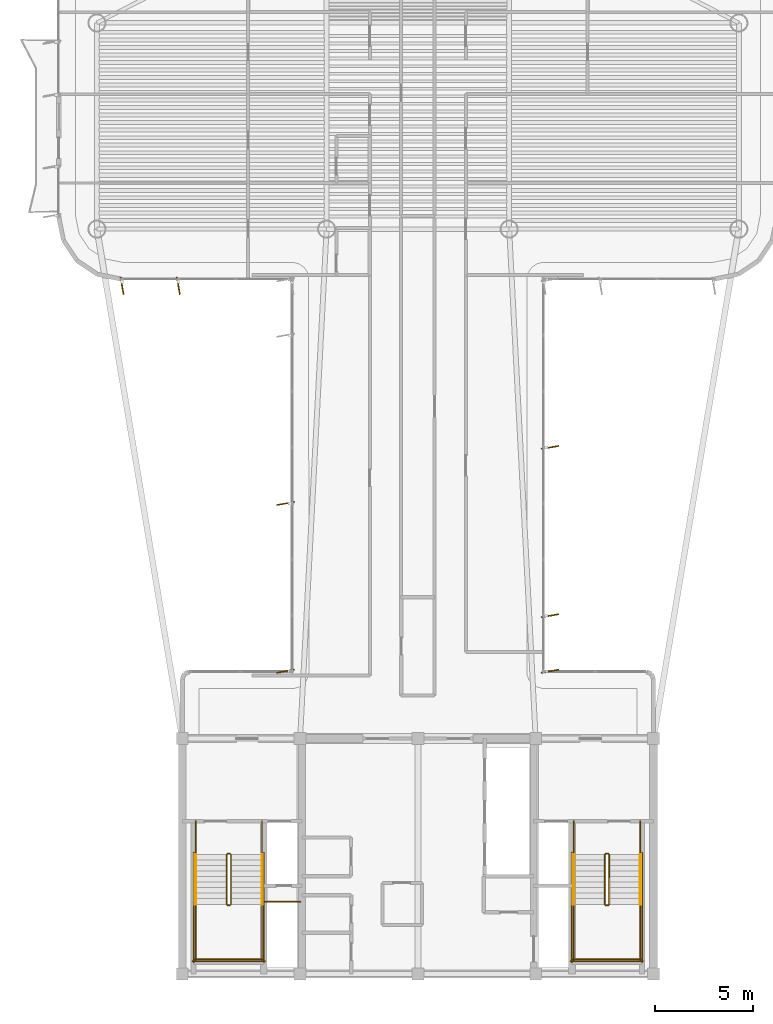
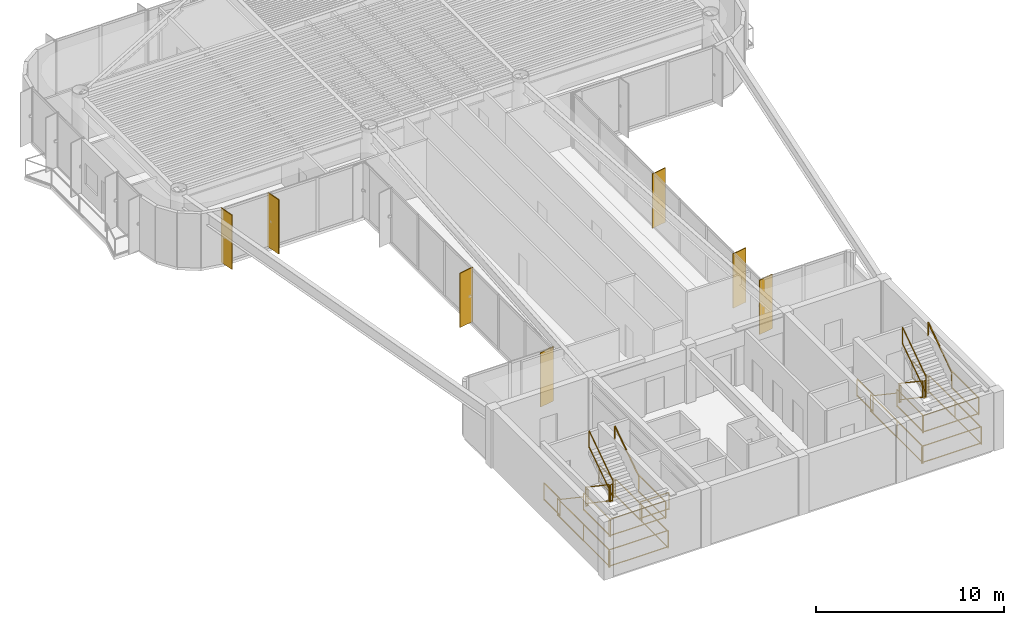
# One storey, part 14 of 15: 29 railings, 7 shading devices.
"""IFC4 building model written with IfcOpenShell, lengths in metres."""

from ifc_helpers import new_model, si_unit, direction, frame, origin, origin_2d, place, context, subcontext, project, spatial, rectangle, extrude, source, transform, mapped, material, layer, layer_set, material_profile, profile_set, type_object, element, save


model = new_model("IFC4")

# Units and contexts
model_context = context("Model", 3, precision=1e-05, world=origin(), true_north=direction((0.0, 1.0)))
body_context = subcontext(model_context, "Body", "Model", "MODEL_VIEW")
ifc_project = project(units=[si_unit("LENGTHUNIT", "METRE"), si_unit("AREAUNIT", "SQUARE_METRE"), si_unit("VOLUMEUNIT", "CUBIC_METRE"), si_unit("PLANEANGLEUNIT", "RADIAN"), si_unit("MASSUNIT", "GRAM", prefix="KILO")], contexts=[model_context])

# Site, building, storey
site_placement = place(None, origin())
site = spatial("IfcSite", under=ifc_project, at=site_placement, CompositionType="ELEMENT")
building_placement = place(site_placement, origin())
building = spatial("IfcBuilding", under=site, at=building_placement, Name="Brelvock Crest Care Tower", CompositionType="ELEMENT")
storey_placement = place(building_placement, frame((0.0, 0.0, 268.3798828125)))
storey = spatial("IfcBuildingStorey", under=building, at=storey_placement, Name="L68", CompositionType="ELEMENT", Elevation=268.3798828125)

# Railings
ifc_material_1 = material(Name="Steel Grade 350", Category="steel")
ifc_layer_1 = layer(ifc_material_1, 0.050048828125, Name="RL-STG1")
ifc_layer_set_1 = layer_set([ifc_layer_1], Name="Steel Grade 350")
railing_type_1 = type_object("IfcRailingType", Name="RL-STG1", PredefinedType="GUARDRAIL", material=ifc_layer_set_1)
railing_1_placement = place(storey_placement, frame((26.260009765625, 12.080078125, 0.189208984375)))
element("IfcRailing", 1, at=railing_1_placement, inside=storey, type_object=railing_type_1, Name="L68 ST-1 stair guard 1", PredefinedType="GUARDRAIL", context=body_context, shape_type="SweptSolid", body=[
    extrude(rectangle(XDim=0.048095703125, YDim=0.048095703125, at=origin_2d()), frame((0.0, -0.001708984375, 1.116943359375), z_axis=(0.0, -0.828861706735, 0.559453546873), x_axis=(1.0, 0.0, 0.0)), (0.0, 0.0, 1.0), 3.036376953125),
    extrude(rectangle(XDim=0.048095703125, YDim=0.048095703125, at=origin_2d()), frame((0.0, -0.001708984375, 0.05615234375), z_axis=(0.0, -0.828861706735, 0.559453546873), x_axis=(1.0, 0.0, 0.0)), (0.0, 0.0, 1.0), 3.036376953125),
    extrude(rectangle(XDim=0.0419921875, YDim=0.0419921875, at=origin_2d()), origin(), (0.0, 0.0, 1.0), 1.08984375),
    extrude(rectangle(XDim=0.0419921875, YDim=0.0419921875, at=origin_2d()), frame((0.0, -2.52001953125, 1.700927734375)), (0.0, 0.0, 1.0), 1.08984375),
])
railing_2_placement = place(storey_placement, frame((26.31005859375, 9.510009765625, 1.89013671875)))
element("IfcRailing", 2, at=railing_2_placement, inside=storey, type_object=railing_type_1, Name="L68 ST-1 stair guard 2", PredefinedType="GUARDRAIL", context=body_context, shape_type="SweptSolid", body=[
    extrude(rectangle(XDim=0.048095703125, YDim=0.048095703125, at=origin_2d()), frame((0.001953125, 0.0, 1.11572265625), z_axis=(1.0, 0.0, 0.0), x_axis=(0.0, 1.0, 0.0)), (0.0, 0.0, 1.0), 0.115966796875),
    extrude(rectangle(XDim=0.048095703125, YDim=0.048095703125, at=origin_2d()), frame((0.001953125, 0.0, 0.054931640625), z_axis=(1.0, 0.0, 0.0), x_axis=(0.0, 1.0, 0.0)), (0.0, 0.0, 1.0), 0.115966796875),
    extrude(rectangle(XDim=0.0419921875, YDim=0.0419921875, at=origin_2d()), origin(), (0.0, 0.0, 1.0), 1.08984375),
    extrude(rectangle(XDim=0.0419921875, YDim=0.0419921875, at=origin_2d()), frame((0.119873046875, 0.0, 0.0)), (0.0, 0.0, 1.0), 1.08984375),
])
for number, where, name in (
    (3, (24.679931640625, 9.56005859375, 1.89013671875), "L68 ST-1 stair guard 3"),
    (4, (28.06005859375, 9.56005859375, 1.89013671875), "L68 ST-1 stair guard 4"),
):
    element("IfcRailing", number, at=place(storey_placement, frame(where)), inside=storey, type_object=railing_type_1, Name=name, PredefinedType="GUARDRAIL", context=body_context, shape_type="SweptSolid", body=[
        extrude(rectangle(XDim=0.048095703125, YDim=0.048095703125, at=origin_2d()), frame((0.0, -0.001953125, 1.11572265625), z_axis=(0.0, -1.0, 0.0), x_axis=(1.0, 0.0, 0.0)), (0.0, 0.0, 1.0), 2.856201171875),
        extrude(rectangle(XDim=0.048095703125, YDim=0.048095703125, at=origin_2d()), frame((0.0, -0.001953125, 0.054931640625), z_axis=(0.0, -1.0, 0.0), x_axis=(1.0, 0.0, 0.0)), (0.0, 0.0, 1.0), 2.856201171875),
        extrude(rectangle(XDim=0.0419921875, YDim=0.0419921875, at=origin_2d()), origin(), (0.0, 0.0, 1.0), 1.08984375),
        extrude(rectangle(XDim=0.0419921875, YDim=0.0419921875, at=origin_2d()), frame((0.0, -2.860107421875, 0.0)), (0.0, 0.0, 1.0), 1.08984375),
    ])
railing_3_placement = place(storey_placement, frame((24.6298828125, 6.75, 1.89013671875)))
element("IfcRailing", 5, at=railing_3_placement, inside=storey, type_object=railing_type_1, Name="L68 ST-1 stair guard 5", PredefinedType="GUARDRAIL", context=body_context, shape_type="SweptSolid", body=[
    extrude(rectangle(XDim=0.048095703125, YDim=0.048095703125, at=origin_2d()), frame((0.001953125, 0.0, 1.11572265625), z_axis=(1.0, 0.0, 0.0), x_axis=(0.0, 1.0, 0.0)), (0.0, 0.0, 1.0), 3.476318359375),
    extrude(rectangle(XDim=0.048095703125, YDim=0.048095703125, at=origin_2d()), frame((0.001953125, 0.0, 0.054931640625), z_axis=(1.0, 0.0, 0.0), x_axis=(0.0, 1.0, 0.0)), (0.0, 0.0, 1.0), 3.476318359375),
    extrude(rectangle(XDim=0.0419921875, YDim=0.0419921875, at=origin_2d()), origin(), (0.0, 0.0, 1.0), 1.08984375),
    extrude(rectangle(XDim=0.0419921875, YDim=0.0419921875, at=origin_2d()), frame((3.480224609375, 0.0, 0.0)), (0.0, 0.0, 1.0), 1.08984375),
])
railing_4_placement = place(storey_placement, frame((26.47998046875, 9.56005859375, 2.0791015625)))
element("IfcRailing", 6, at=railing_4_placement, inside=storey, type_object=railing_type_1, Name="L68 ST-1 stair guard 6", PredefinedType="GUARDRAIL", context=body_context, shape_type="SweptSolid", body=[
    extrude(rectangle(XDim=0.048095703125, YDim=0.048095703125, at=origin_2d()), frame((0.0, 0.001708984375, 1.116943359375), z_axis=(0.0, 0.828861706735, 0.559453546873), x_axis=(-1.0, 0.0, 0.0)), (0.0, 0.0, 1.0), 3.036376953125),
    extrude(rectangle(XDim=0.048095703125, YDim=0.048095703125, at=origin_2d()), frame((0.0, 0.001708984375, 0.05615234375), z_axis=(0.0, 0.828861706735, 0.559453546873), x_axis=(-1.0, 0.0, 0.0)), (0.0, 0.0, 1.0), 3.036376953125),
    extrude(rectangle(XDim=0.0419921875, YDim=0.0419921875, at=origin_2d()), origin(), (0.0, 0.0, 1.0), 1.08984375),
    extrude(rectangle(XDim=0.0419921875, YDim=0.0419921875, at=origin_2d()), frame((0.0, 2.52001953125, 1.700927734375)), (0.0, 0.0, 1.0), 1.08984375),
])
railing_5_placement = place(storey_placement, frame((26.31005859375, 12.1298828125, 0.0)))
element("IfcRailing", 7, at=railing_5_placement, inside=storey, type_object=railing_type_1, Name="L68 ST-1 stair guard 7", PredefinedType="GUARDRAIL", context=body_context, shape_type="SweptSolid", body=[
    extrude(rectangle(XDim=0.048095703125, YDim=0.048095703125, at=origin_2d()), frame((0.001953125, 0.0, 1.11572265625), z_axis=(1.0, 0.0, 0.0), x_axis=(0.0, 1.0, 0.0)), (0.0, 0.0, 1.0), 0.115966796875),
    extrude(rectangle(XDim=0.048095703125, YDim=0.048095703125, at=origin_2d()), frame((0.001953125, 0.0, 0.054931640625), z_axis=(1.0, 0.0, 0.0), x_axis=(0.0, 1.0, 0.0)), (0.0, 0.0, 1.0), 0.115966796875),
    extrude(rectangle(XDim=0.0419921875, YDim=0.0419921875, at=origin_2d()), origin(), (0.0, 0.0, 1.0), 1.08984375),
    extrude(rectangle(XDim=0.0419921875, YDim=0.0419921875, at=origin_2d()), frame((0.119873046875, 0.0, 0.0)), (0.0, 0.0, 1.0), 1.08984375),
])
for number, where, name in (
    (8, (24.679931640625, 13.780029296875, 0.0), "L68 ST-1 stair guard 8"),
    (9, (28.06005859375, 13.780029296875, 0.0), "L68 ST-1 stair guard 9"),
):
    element("IfcRailing", number, at=place(storey_placement, frame(where)), inside=storey, type_object=railing_type_1, Name=name, PredefinedType="GUARDRAIL", context=body_context, shape_type="SweptSolid", body=[
        extrude(rectangle(XDim=0.048095703125, YDim=0.048095703125, at=origin_2d()), frame((0.0, -0.001953125, 1.11572265625), z_axis=(0.0, -1.0, 0.0), x_axis=(1.0, 0.0, 0.0)), (0.0, 0.0, 1.0), 1.696044921875),
        extrude(rectangle(XDim=0.048095703125, YDim=0.048095703125, at=origin_2d()), frame((0.0, -0.001953125, 0.054931640625), z_axis=(0.0, -1.0, 0.0), x_axis=(1.0, 0.0, 0.0)), (0.0, 0.0, 1.0), 1.696044921875),
        extrude(rectangle(XDim=0.0419921875, YDim=0.0419921875, at=origin_2d()), origin(), (0.0, 0.0, 1.0), 1.08984375),
        extrude(rectangle(XDim=0.0419921875, YDim=0.0419921875, at=origin_2d()), frame((0.0, -1.699951171875, 0.0)), (0.0, 0.0, 1.0), 1.08984375),
    ])
for number, where, name in (
    (10, (24.580078125, 12.179931640625, 0.0), "L68 ST-1 stair guard 10"),
    (11, (28.159912109375, 12.179931640625, 0.0), "L68 ST-1 stair guard 11"),
):
    element("IfcRailing", number, at=place(storey_placement, frame(where)), inside=storey, type_object=railing_type_1, Name=name, PredefinedType="GUARDRAIL", context=body_context, shape_type="SweptSolid", body=[
        extrude(rectangle(XDim=0.048095703125, YDim=0.048095703125, at=origin_2d()), frame((0.0, -0.001953125, 1.11572265625), z_axis=(0.0, -1.0, 0.0), x_axis=(1.0, 0.0, 0.0)), (0.0, 0.0, 1.0), 5.575927734375),
        extrude(rectangle(XDim=0.048095703125, YDim=0.048095703125, at=origin_2d()), frame((0.0, -0.001953125, 0.054931640625), z_axis=(0.0, -1.0, 0.0), x_axis=(1.0, 0.0, 0.0)), (0.0, 0.0, 1.0), 5.575927734375),
        extrude(rectangle(XDim=0.0419921875, YDim=0.0419921875, at=origin_2d()), origin(), (0.0, 0.0, 1.0), 1.08984375),
        extrude(rectangle(XDim=0.0419921875, YDim=0.0419921875, at=origin_2d()), frame((0.0, -2.7900390625, 0.0)), (0.0, 0.0, 1.0), 1.08984375),
        extrude(rectangle(XDim=0.0419921875, YDim=0.0419921875, at=origin_2d()), frame((0.0, -5.579833984375, 0.0)), (0.0, 0.0, 1.0), 1.08984375),
    ])
railing_6_placement = place(storey_placement, frame((24.530029296875, 6.64990234375, 0.0)))
element("IfcRailing", 12, at=railing_6_placement, inside=storey, type_object=railing_type_1, Name="L68 ST-1 stair guard 12", PredefinedType="GUARDRAIL", context=body_context, shape_type="SweptSolid", body=[
    extrude(rectangle(XDim=0.048095703125, YDim=0.048095703125, at=origin_2d()), frame((0.001953125, 0.0, 1.11572265625), z_axis=(1.0, 0.0, 0.0), x_axis=(0.0, 1.0, 0.0)), (0.0, 0.0, 1.0), 3.676025390625),
    extrude(rectangle(XDim=0.048095703125, YDim=0.048095703125, at=origin_2d()), frame((0.001953125, 0.0, 0.054931640625), z_axis=(1.0, 0.0, 0.0), x_axis=(0.0, 1.0, 0.0)), (0.0, 0.0, 1.0), 3.676025390625),
    extrude(rectangle(XDim=0.0419921875, YDim=0.0419921875, at=origin_2d()), origin(), (0.0, 0.0, 1.0), 1.08984375),
    extrude(rectangle(XDim=0.0419921875, YDim=0.0419921875, at=origin_2d()), frame((3.679931640625, 0.0, 0.0)), (0.0, 0.0, 1.0), 1.08984375),
])
railing_7_placement = place(storey_placement, frame((45.52001953125, 12.080078125, 0.189208984375)))
element("IfcRailing", 13, at=railing_7_placement, inside=storey, type_object=railing_type_1, Name="L68 ST-2 stair guard 1", PredefinedType="GUARDRAIL", context=body_context, shape_type="SweptSolid", body=[
    extrude(rectangle(XDim=0.048095703125, YDim=0.048095703125, at=origin_2d()), frame((0.0, -0.001708984375, 1.116943359375), z_axis=(0.0, -0.828861706735, 0.559453546873), x_axis=(1.0, 0.0, 0.0)), (0.0, 0.0, 1.0), 3.036376953125),
    extrude(rectangle(XDim=0.048095703125, YDim=0.048095703125, at=origin_2d()), frame((0.0, -0.001708984375, 0.05615234375), z_axis=(0.0, -0.828861706735, 0.559453546873), x_axis=(1.0, 0.0, 0.0)), (0.0, 0.0, 1.0), 3.036376953125),
    extrude(rectangle(XDim=0.0419921875, YDim=0.0419921875, at=origin_2d()), origin(), (0.0, 0.0, 1.0), 1.08984375),
    extrude(rectangle(XDim=0.0419921875, YDim=0.0419921875, at=origin_2d()), frame((0.0, -2.52001953125, 1.700927734375)), (0.0, 0.0, 1.0), 1.08984375),
])
railing_8_placement = place(storey_placement, frame((45.570068359375, 9.510009765625, 1.89013671875)))
element("IfcRailing", 14, at=railing_8_placement, inside=storey, type_object=railing_type_1, Name="L68 ST-2 stair guard 2", PredefinedType="GUARDRAIL", context=body_context, shape_type="SweptSolid", body=[
    extrude(rectangle(XDim=0.048095703125, YDim=0.048095703125, at=origin_2d()), frame((0.001953125, 0.0, 1.11572265625), z_axis=(1.0, 0.0, 0.0), x_axis=(0.0, 1.0, 0.0)), (0.0, 0.0, 1.0), 0.115966796875),
    extrude(rectangle(XDim=0.048095703125, YDim=0.048095703125, at=origin_2d()), frame((0.001953125, 0.0, 0.054931640625), z_axis=(1.0, 0.0, 0.0), x_axis=(0.0, 1.0, 0.0)), (0.0, 0.0, 1.0), 0.115966796875),
    extrude(rectangle(XDim=0.0419921875, YDim=0.0419921875, at=origin_2d()), origin(), (0.0, 0.0, 1.0), 1.08984375),
    extrude(rectangle(XDim=0.0419921875, YDim=0.0419921875, at=origin_2d()), frame((0.119873046875, 0.0, 0.0)), (0.0, 0.0, 1.0), 1.08984375),
])
for number, where, name in (
    (15, (43.93994140625, 9.56005859375, 1.89013671875), "L68 ST-2 stair guard 3"),
    (16, (47.320068359375, 9.56005859375, 1.89013671875), "L68 ST-2 stair guard 4"),
):
    element("IfcRailing", number, at=place(storey_placement, frame(where)), inside=storey, type_object=railing_type_1, Name=name, PredefinedType="GUARDRAIL", context=body_context, shape_type="SweptSolid", body=[
        extrude(rectangle(XDim=0.048095703125, YDim=0.048095703125, at=origin_2d()), frame((0.0, -0.001953125, 1.11572265625), z_axis=(0.0, -1.0, 0.0), x_axis=(1.0, 0.0, 0.0)), (0.0, 0.0, 1.0), 2.856201171875),
        extrude(rectangle(XDim=0.048095703125, YDim=0.048095703125, at=origin_2d()), frame((0.0, -0.001953125, 0.054931640625), z_axis=(0.0, -1.0, 0.0), x_axis=(1.0, 0.0, 0.0)), (0.0, 0.0, 1.0), 2.856201171875),
        extrude(rectangle(XDim=0.0419921875, YDim=0.0419921875, at=origin_2d()), origin(), (0.0, 0.0, 1.0), 1.08984375),
        extrude(rectangle(XDim=0.0419921875, YDim=0.0419921875, at=origin_2d()), frame((0.0, -2.860107421875, 0.0)), (0.0, 0.0, 1.0), 1.08984375),
    ])
railing_9_placement = place(storey_placement, frame((43.889892578125, 6.75, 1.89013671875)))
element("IfcRailing", 17, at=railing_9_placement, inside=storey, type_object=railing_type_1, Name="L68 ST-2 stair guard 5", PredefinedType="GUARDRAIL", context=body_context, shape_type="SweptSolid", body=[
    extrude(rectangle(XDim=0.048095703125, YDim=0.048095703125, at=origin_2d()), frame((0.001953125, 0.0, 1.11572265625), z_axis=(1.0, 0.0, 0.0), x_axis=(0.0, 1.0, 0.0)), (0.0, 0.0, 1.0), 3.476318359375),
    extrude(rectangle(XDim=0.048095703125, YDim=0.048095703125, at=origin_2d()), frame((0.001953125, 0.0, 0.054931640625), z_axis=(1.0, 0.0, 0.0), x_axis=(0.0, 1.0, 0.0)), (0.0, 0.0, 1.0), 3.476318359375),
    extrude(rectangle(XDim=0.0419921875, YDim=0.0419921875, at=origin_2d()), origin(), (0.0, 0.0, 1.0), 1.08984375),
    extrude(rectangle(XDim=0.0419921875, YDim=0.0419921875, at=origin_2d()), frame((3.480224609375, 0.0, 0.0)), (0.0, 0.0, 1.0), 1.08984375),
])
railing_10_placement = place(storey_placement, frame((45.739990234375, 9.56005859375, 2.0791015625)))
element("IfcRailing", 18, at=railing_10_placement, inside=storey, type_object=railing_type_1, Name="L68 ST-2 stair guard 6", PredefinedType="GUARDRAIL", context=body_context, shape_type="SweptSolid", body=[
    extrude(rectangle(XDim=0.048095703125, YDim=0.048095703125, at=origin_2d()), frame((0.0, 0.001708984375, 1.116943359375), z_axis=(0.0, 0.828861706735, 0.559453546873), x_axis=(-1.0, 0.0, 0.0)), (0.0, 0.0, 1.0), 3.036376953125),
    extrude(rectangle(XDim=0.048095703125, YDim=0.048095703125, at=origin_2d()), frame((0.0, 0.001708984375, 0.05615234375), z_axis=(0.0, 0.828861706735, 0.559453546873), x_axis=(-1.0, 0.0, 0.0)), (0.0, 0.0, 1.0), 3.036376953125),
    extrude(rectangle(XDim=0.0419921875, YDim=0.0419921875, at=origin_2d()), origin(), (0.0, 0.0, 1.0), 1.08984375),
    extrude(rectangle(XDim=0.0419921875, YDim=0.0419921875, at=origin_2d()), frame((0.0, 2.52001953125, 1.700927734375)), (0.0, 0.0, 1.0), 1.08984375),
])
railing_11_placement = place(storey_placement, frame((45.570068359375, 12.1298828125, 0.0)))
element("IfcRailing", 19, at=railing_11_placement, inside=storey, type_object=railing_type_1, Name="L68 ST-2 stair guard 7", PredefinedType="GUARDRAIL", context=body_context, shape_type="SweptSolid", body=[
    extrude(rectangle(XDim=0.048095703125, YDim=0.048095703125, at=origin_2d()), frame((0.001953125, 0.0, 1.11572265625), z_axis=(1.0, 0.0, 0.0), x_axis=(0.0, 1.0, 0.0)), (0.0, 0.0, 1.0), 0.115966796875),
    extrude(rectangle(XDim=0.048095703125, YDim=0.048095703125, at=origin_2d()), frame((0.001953125, 0.0, 0.054931640625), z_axis=(1.0, 0.0, 0.0), x_axis=(0.0, 1.0, 0.0)), (0.0, 0.0, 1.0), 0.115966796875),
    extrude(rectangle(XDim=0.0419921875, YDim=0.0419921875, at=origin_2d()), origin(), (0.0, 0.0, 1.0), 1.08984375),
    extrude(rectangle(XDim=0.0419921875, YDim=0.0419921875, at=origin_2d()), frame((0.119873046875, 0.0, 0.0)), (0.0, 0.0, 1.0), 1.08984375),
])
for number, where, name in (
    (20, (43.93994140625, 13.780029296875, 0.0), "L68 ST-2 stair guard 8"),
    (21, (47.320068359375, 13.780029296875, 0.0), "L68 ST-2 stair guard 9"),
):
    element("IfcRailing", number, at=place(storey_placement, frame(where)), inside=storey, type_object=railing_type_1, Name=name, PredefinedType="GUARDRAIL", context=body_context, shape_type="SweptSolid", body=[
        extrude(rectangle(XDim=0.048095703125, YDim=0.048095703125, at=origin_2d()), frame((0.0, -0.001953125, 1.11572265625), z_axis=(0.0, -1.0, 0.0), x_axis=(1.0, 0.0, 0.0)), (0.0, 0.0, 1.0), 1.696044921875),
        extrude(rectangle(XDim=0.048095703125, YDim=0.048095703125, at=origin_2d()), frame((0.0, -0.001953125, 0.054931640625), z_axis=(0.0, -1.0, 0.0), x_axis=(1.0, 0.0, 0.0)), (0.0, 0.0, 1.0), 1.696044921875),
        extrude(rectangle(XDim=0.0419921875, YDim=0.0419921875, at=origin_2d()), origin(), (0.0, 0.0, 1.0), 1.08984375),
        extrude(rectangle(XDim=0.0419921875, YDim=0.0419921875, at=origin_2d()), frame((0.0, -1.699951171875, 0.0)), (0.0, 0.0, 1.0), 1.08984375),
    ])
for number, where, name in (
    (22, (43.840087890625, 12.179931640625, 0.0), "L68 ST-2 stair guard 10"),
    (23, (47.419921875, 12.179931640625, 0.0), "L68 ST-2 stair guard 11"),
):
    element("IfcRailing", number, at=place(storey_placement, frame(where)), inside=storey, type_object=railing_type_1, Name=name, PredefinedType="GUARDRAIL", context=body_context, shape_type="SweptSolid", body=[
        extrude(rectangle(XDim=0.048095703125, YDim=0.048095703125, at=origin_2d()), frame((0.0, -0.001953125, 1.11572265625), z_axis=(0.0, -1.0, 0.0), x_axis=(1.0, 0.0, 0.0)), (0.0, 0.0, 1.0), 5.575927734375),
        extrude(rectangle(XDim=0.048095703125, YDim=0.048095703125, at=origin_2d()), frame((0.0, -0.001953125, 0.054931640625), z_axis=(0.0, -1.0, 0.0), x_axis=(1.0, 0.0, 0.0)), (0.0, 0.0, 1.0), 5.575927734375),
        extrude(rectangle(XDim=0.0419921875, YDim=0.0419921875, at=origin_2d()), origin(), (0.0, 0.0, 1.0), 1.08984375),
        extrude(rectangle(XDim=0.0419921875, YDim=0.0419921875, at=origin_2d()), frame((0.0, -2.7900390625, 0.0)), (0.0, 0.0, 1.0), 1.08984375),
        extrude(rectangle(XDim=0.0419921875, YDim=0.0419921875, at=origin_2d()), frame((0.0, -5.579833984375, 0.0)), (0.0, 0.0, 1.0), 1.08984375),
    ])
railing_12_placement = place(storey_placement, frame((43.7900390625, 6.64990234375, 0.0)))
element("IfcRailing", 24, at=railing_12_placement, inside=storey, type_object=railing_type_1, Name="L68 ST-2 stair guard 12", PredefinedType="GUARDRAIL", context=body_context, shape_type="SweptSolid", body=[
    extrude(rectangle(XDim=0.048095703125, YDim=0.048095703125, at=origin_2d()), frame((0.001953125, 0.0, 1.11572265625), z_axis=(1.0, 0.0, 0.0), x_axis=(0.0, 1.0, 0.0)), (0.0, 0.0, 1.0), 3.676025390625),
    extrude(rectangle(XDim=0.048095703125, YDim=0.048095703125, at=origin_2d()), frame((0.001953125, 0.0, 0.054931640625), z_axis=(1.0, 0.0, 0.0), x_axis=(0.0, 1.0, 0.0)), (0.0, 0.0, 1.0), 3.676025390625),
    extrude(rectangle(XDim=0.0419921875, YDim=0.0419921875, at=origin_2d()), origin(), (0.0, 0.0, 1.0), 1.08984375),
    extrude(rectangle(XDim=0.0419921875, YDim=0.0419921875, at=origin_2d()), frame((3.679931640625, 0.0, 0.0)), (0.0, 0.0, 1.0), 1.08984375),
])
railing_13_placement = place(storey_placement, frame((28.219970703125, 9.679931640625, 0.0)))
element("IfcRailing", 25, at=railing_13_placement, inside=storey, type_object=railing_type_1, Name="L68 Fire Riser Threshold Guard", PredefinedType="GUARDRAIL", context=body_context, shape_type="SweptSolid", body=[
    extrude(rectangle(XDim=0.048095703125, YDim=0.048095703125, at=origin_2d()), frame((0.001953125, 0.0, 1.11572265625), z_axis=(1.0, 0.0, 0.0), x_axis=(0.0, 1.0, 0.0)), (0.0, 0.0, 1.0), 1.776123046875),
    extrude(rectangle(XDim=0.048095703125, YDim=0.048095703125, at=origin_2d()), frame((0.001953125, 0.0, 0.054931640625), z_axis=(1.0, 0.0, 0.0), x_axis=(0.0, 1.0, 0.0)), (0.0, 0.0, 1.0), 1.776123046875),
    extrude(rectangle(XDim=0.0419921875, YDim=0.0419921875, at=origin_2d()), origin(), (0.0, 0.0, 1.0), 1.08984375),
    extrude(rectangle(XDim=0.0419921875, YDim=0.0419921875, at=origin_2d()), frame((1.780029296875, 0.0, 0.0)), (0.0, 0.0, 1.0), 1.08984375),
])
ifc_layer_2 = layer(ifc_material_1, 0.048095703125, Name="RL-STH1")
ifc_layer_set_2 = layer_set([ifc_layer_2], Name="Steel Grade 350")
railing_type_2 = type_object("IfcRailingType", Name="RL-STH1", PredefinedType="HANDRAIL", material=ifc_layer_set_2)
railing_14_placement = place(storey_placement, frame((24.679931640625, 12.080078125, 0.189208984375)))
element("IfcRailing", 26, at=railing_14_placement, inside=storey, type_object=railing_type_2, Name="L68 ST-1 stair handrail 1", PredefinedType="HANDRAIL", context=body_context, shape_type="SweptSolid", body=[
    extrude(rectangle(XDim=0.048095703125, YDim=0.048095703125, at=origin_2d()), frame((0.0, -0.001708984375, 0.876953125), z_axis=(0.0, -0.828861706735, 0.559453546873), x_axis=(1.0, 0.0, 0.0)), (0.0, 0.0, 1.0), 3.036376953125),
    extrude(rectangle(XDim=0.0419921875, YDim=0.0419921875, at=origin_2d()), origin(), (0.0, 0.0, 1.0), 0.849853515625),
    extrude(rectangle(XDim=0.0419921875, YDim=0.0419921875, at=origin_2d()), frame((0.0, -2.52001953125, 1.700927734375)), (0.0, 0.0, 1.0), 0.849853515625),
])
railing_15_placement = place(storey_placement, frame((28.06005859375, 9.56005859375, 2.0791015625)))
element("IfcRailing", 27, at=railing_15_placement, inside=storey, type_object=railing_type_2, Name="L68 ST-1 stair handrail 2", PredefinedType="HANDRAIL", context=body_context, shape_type="SweptSolid", body=[
    extrude(rectangle(XDim=0.048095703125, YDim=0.048095703125, at=origin_2d()), frame((0.0, 0.001708984375, 0.876953125), z_axis=(0.0, 0.828861706735, 0.559453546873), x_axis=(-1.0, 0.0, 0.0)), (0.0, 0.0, 1.0), 3.036376953125),
    extrude(rectangle(XDim=0.0419921875, YDim=0.0419921875, at=origin_2d()), origin(), (0.0, 0.0, 1.0), 0.849853515625),
    extrude(rectangle(XDim=0.0419921875, YDim=0.0419921875, at=origin_2d()), frame((0.0, 2.52001953125, 1.700927734375)), (0.0, 0.0, 1.0), 0.849853515625),
])
railing_16_placement = place(storey_placement, frame((43.93994140625, 12.080078125, 0.189208984375)))
element("IfcRailing", 28, at=railing_16_placement, inside=storey, type_object=railing_type_2, Name="L68 ST-2 stair handrail 1", PredefinedType="HANDRAIL", context=body_context, shape_type="SweptSolid", body=[
    extrude(rectangle(XDim=0.048095703125, YDim=0.048095703125, at=origin_2d()), frame((0.0, -0.001708984375, 0.876953125), z_axis=(0.0, -0.828861706735, 0.559453546873), x_axis=(1.0, 0.0, 0.0)), (0.0, 0.0, 1.0), 3.036376953125),
    extrude(rectangle(XDim=0.0419921875, YDim=0.0419921875, at=origin_2d()), origin(), (0.0, 0.0, 1.0), 0.849853515625),
    extrude(rectangle(XDim=0.0419921875, YDim=0.0419921875, at=origin_2d()), frame((0.0, -2.52001953125, 1.700927734375)), (0.0, 0.0, 1.0), 0.849853515625),
])
railing_17_placement = place(storey_placement, frame((47.320068359375, 9.56005859375, 2.0791015625)))
element("IfcRailing", 29, at=railing_17_placement, inside=storey, type_object=railing_type_2, Name="L68 ST-2 stair handrail 2", PredefinedType="HANDRAIL", context=body_context, shape_type="SweptSolid", body=[
    extrude(rectangle(XDim=0.048095703125, YDim=0.048095703125, at=origin_2d()), frame((0.0, 0.001708984375, 0.876953125), z_axis=(0.0, 0.828861706735, 0.559453546873), x_axis=(-1.0, 0.0, 0.0)), (0.0, 0.0, 1.0), 3.036376953125),
    extrude(rectangle(XDim=0.0419921875, YDim=0.0419921875, at=origin_2d()), origin(), (0.0, 0.0, 1.0), 0.849853515625),
    extrude(rectangle(XDim=0.0419921875, YDim=0.0419921875, at=origin_2d()), frame((0.0, 2.52001953125, 1.700927734375)), (0.0, 0.0, 1.0), 0.849853515625),
])

# Shading devices
ifc_material_2 = material(Name="Aluminium 6063-T6", Category="aluminium")
ifc_material_profile = material_profile(ifc_material_2, rectangle(XDim=0.054931640625, YDim=0.89990234375, at=origin_2d()), Name="FIN55x900")
ifc_profile_set = profile_set([ifc_material_profile], Name="Aluminium 6063-T6")
shading_device_type = type_object("IfcShadingDeviceType", Name="SHD-FIN1", PredefinedType="USERDEFINED", material=ifc_profile_set)
shared_shape = source(origin(), body_context, "Body", "SweptSolid", [
    extrude(rectangle(XDim=0.054931640625, YDim=0.89990234375, at=origin_2d()), origin(), (0.0, 0.0, 1.0), 3.530029296875),
])
for number, where, z_axis, x_axis, name in (
    (30, (29.260009765625, 21.429931640625, 0.0), (0.0, 0.0, 1.0), (-0.173648177667, 0.984807753012, 0.0), "L68 Vertical Sunshade Fin E11-01"),
    (31, (29.260009765625, 29.971435546875, 0.0), (0.0, 0.0, 1.0), (-0.173648177667, 0.984807753012, 0.0), "L68 Vertical Sunshade Fin E11-04"),
    (32, (23.800048828125, 41.06005859375, 0.0), (0.0, 0.0, 1.0), (-0.984807753012, -0.173648177667, 0.0), "L68 Vertical Sunshade Fin E12-03"),
    (33, (20.929931640625, 41.06005859375, 0.0), (0.0, 0.0, 1.0), (-0.984807753012, -0.173648177667, 0.0), "L68 Vertical Sunshade Fin E12-04"),
    (34, (42.739990234375, 32.82861328125, 0.0), (0.0, 0.0, 1.0), (0.173648177667, -0.984807753012, 0.0), "L68 Vertical Sunshade Fin E45-04"),
    (35, (42.739990234375, 24.257080078125, 0.0), (0.0, 0.0, 1.0), (0.173648177667, -0.984807753012, 0.0), "L68 Vertical Sunshade Fin E45-07"),
    (36, (42.739990234375, 21.429931640625, 0.0), (0.0, 0.0, 1.0), (0.173648177667, -0.984807753012, 0.0), "L68 Vertical Sunshade Fin E45-08"),
):
    element("IfcShadingDevice", number, at=place(storey_placement, frame(where, z_axis=z_axis, x_axis=x_axis)), inside=storey, type_object=shading_device_type, Name=name, ObjectType="FIN", PredefinedType="USERDEFINED", context=body_context, shape_type="MappedRepresentation", body=[
        mapped(shared_shape, transform((0.0, 0.0, 0.0), x_axis=(1.0, 0.0, 0.0), y_axis=(0.0, 1.0, 0.0), z_axis=(0.0, 0.0, 1.0), scale=1.0)),
    ])

save(model, "model.ifc")
